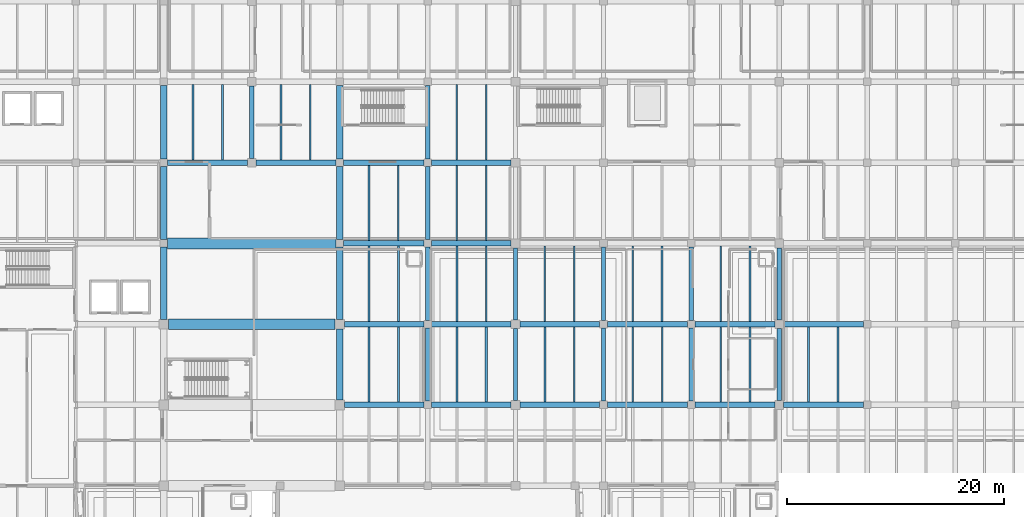
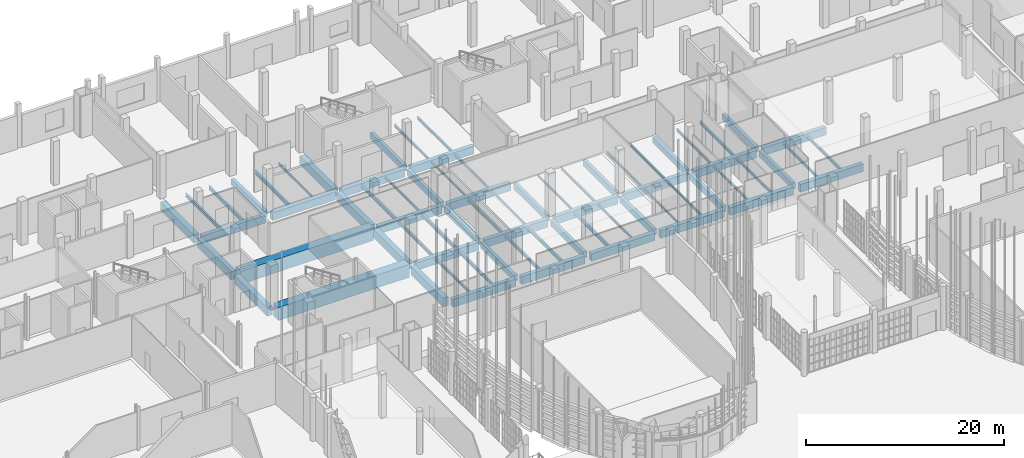
# One storey, part 249 of 372: 72 beams.
"""IFC4 building model written with IfcOpenShell, lengths in metres."""

from ifc_helpers import new_model, si_unit, direction, frame, origin, origin_2d, place, context, subcontext, project, spatial, rectangle, i_section, extrude, material, material_profile, profile_set, type_object, element, save


model = new_model("IFC4")

# Units and contexts
model_context = context("Model", 3, precision=1e-05, world=origin(), true_north=direction((0.0, 1.0)))
body_context = subcontext(model_context, "Body", "Model", "MODEL_VIEW")
ifc_project = project(units=[si_unit("LENGTHUNIT", "METRE"), si_unit("AREAUNIT", "SQUARE_METRE"), si_unit("VOLUMEUNIT", "CUBIC_METRE"), si_unit("PLANEANGLEUNIT", "RADIAN"), si_unit("MASSUNIT", "GRAM", prefix="KILO")], contexts=[model_context])

# Site, building, storey
site_placement = place(None, origin())
site = spatial("IfcSite", under=ifc_project, at=site_placement, CompositionType="ELEMENT")
building_placement = place(site_placement, origin())
building = spatial("IfcBuilding", under=site, at=building_placement, Name="Kaelora Sail Theatre", CompositionType="ELEMENT")
storey_placement = place(building_placement, origin())
storey = spatial("IfcBuildingStorey", under=building, at=storey_placement, Name="L00", CompositionType="ELEMENT", Elevation=0.0)

# Beams
ifc_material_1 = material(Name="Steel S355", Category="steel")
ifc_material_profile_1 = material_profile(ifc_material_1, i_section(OverallWidth=0.18994140625, OverallDepth=0.449951171875, WebThickness=0.009521484375, FlangeThickness=0.0146484375, FilletRadius=0.02099609375, at=origin_2d()), Name="IPE 450")
ifc_profile_set_1 = profile_set([ifc_material_profile_1], Name="Steel S355")
beam_type_1 = type_object("IfcBeamType", Name="STR-BM-BM-IPE450", PredefinedType="BEAM", material=ifc_profile_set_1)
for number, where, z_axis, x_axis, name in (
    (1, (71.699951171875, 91.030029296875, -0.544921875), (0.0, 1.0, 0.0), (-1.0, 0.0, 0.0), "Secondary floor joist 9/M-2 (L00)"),
    (2, (77.10009765625, 91.030029296875, -0.544921875), (0.0, 1.0, 0.0), (-1.0, 0.0, 0.0), "Secondary floor joist 10/M-1 (L00)"),
):
    element("IfcBeam", number, at=place(storey_placement, frame(where, z_axis=z_axis, x_axis=x_axis)), inside=storey, type_object=beam_type_1, Name=name, PredefinedType="BEAM", context=body_context, shape_type="SweptSolid", body=[
        extrude(i_section(OverallWidth=0.18994140625, OverallDepth=0.449951171875, WebThickness=0.009521484375, FlangeThickness=0.0146484375, FilletRadius=0.02099609375, at=origin_2d()), origin(), (0.0, 0.0, 1.0), 6.93994140625),
    ])
beam_1_placement = place(storey_placement, frame((87.89990234375, 76.14990234375, -0.544921875), z_axis=(0.0, 1.0, 0.0), x_axis=(-1.0, 0.0, 0.0)))
element("IfcBeam", 3, at=beam_1_placement, inside=storey, type_object=beam_type_1, Name="Secondary floor joist 11/K-2 (L00)", PredefinedType="BEAM", context=body_context, shape_type="SweptSolid", body=[
    extrude(i_section(OverallWidth=0.18994140625, OverallDepth=0.449951171875, WebThickness=0.009521484375, FlangeThickness=0.0146484375, FilletRadius=0.02099609375, at=origin_2d()), origin(), (0.0, 0.0, 1.0), 6.940185546875),
])
for number, where, z_axis, x_axis, name in (
    (4, (85.199951171875, 83.590087890625, -0.544921875), (0.0, 1.0, 0.0), (-1.0, 0.0, 0.0), "Secondary floor joist 11/L-1 (L00)"),
    (5, (96.0, 68.7099609375, -0.544921875), (0.0, 1.0, 0.0), (-1.0, 0.0, 0.0), "Secondary floor joist 12/J-2 (L00)"),
):
    element("IfcBeam", number, at=place(storey_placement, frame(where, z_axis=z_axis, x_axis=x_axis)), inside=storey, type_object=beam_type_1, Name=name, PredefinedType="BEAM", context=body_context, shape_type="SweptSolid", body=[
        extrude(i_section(OverallWidth=0.18994140625, OverallDepth=0.449951171875, WebThickness=0.009521484375, FlangeThickness=0.0146484375, FilletRadius=0.02099609375, at=origin_2d()), origin(), (0.0, 0.0, 1.0), 6.93994140625),
    ])
beam_2_placement = place(storey_placement, frame((93.300048828125, 76.14990234375, -0.544921875), z_axis=(0.0, 1.0, 0.0), x_axis=(-1.0, 0.0, 0.0)))
element("IfcBeam", 6, at=beam_2_placement, inside=storey, type_object=beam_type_1, Name="Secondary floor joist 12/K-1 (L00)", PredefinedType="BEAM", context=body_context, shape_type="SweptSolid", body=[
    extrude(i_section(OverallWidth=0.18994140625, OverallDepth=0.449951171875, WebThickness=0.009521484375, FlangeThickness=0.0146484375, FilletRadius=0.02099609375, at=origin_2d()), origin(), (0.0, 0.0, 1.0), 6.940185546875),
])
beam_3_placement = place(storey_placement, frame((101.39990234375, 68.7099609375, -0.544921875), z_axis=(0.0, 1.0, 0.0), x_axis=(-1.0, 0.0, 0.0)))
element("IfcBeam", 7, at=beam_3_placement, inside=storey, type_object=beam_type_1, Name="Secondary floor joist 13/J-1 (L00)", PredefinedType="BEAM", context=body_context, shape_type="SweptSolid", body=[
    extrude(i_section(OverallWidth=0.18994140625, OverallDepth=0.449951171875, WebThickness=0.009521484375, FlangeThickness=0.0146484375, FilletRadius=0.02099609375, at=origin_2d()), origin(), (0.0, 0.0, 1.0), 6.93994140625),
])
ifc_material_2 = material(Name="Concrete C40/50", Category="concrete")
ifc_material_profile_2 = material_profile(ifc_material_2, rectangle(XDim=0.39990234375, YDim=0.75, at=origin_2d()), Name="RC-BM 400x750")
ifc_profile_set_2 = profile_set([ifc_material_profile_2], Name="Concrete C40/50")
beam_type_2 = type_object("IfcBeamType", Name="STR-BM-BM-RC4075", PredefinedType="BEAM", material=ifc_profile_set_2)
beam_4_placement = place(storey_placement, frame((74.39990234375, 91.179931640625, -0.695068359375), z_axis=(0.0, 1.0, 0.0), x_axis=(-1.0, 0.0, 0.0)))
element("IfcBeam", 8, at=beam_4_placement, inside=storey, type_object=beam_type_2, Name="Primary beam 10 M-N (L00)", PredefinedType="BEAM", context=body_context, shape_type="SweptSolid", body=[
    extrude(rectangle(XDim=0.39990234375, YDim=0.75, at=origin_2d()), origin(), (0.0, 0.0, 1.0), 6.64013671875),
])
for number, where, z_axis, x_axis, name in (
    (9, (90.60009765625, 68.81005859375, -0.695068359375), (0.0, 1.0, 0.0), (-1.0, 0.0, 0.0), "Primary beam 12 J-K (L00)"),
    (10, (90.60009765625, 76.25, -0.695068359375), (0.0, 1.0, 0.0), (-1.0, 0.0, 0.0), "Primary beam 12 K-L (L00)"),
    (11, (90.60009765625, 83.68994140625, -0.695068359375), (0.0, 1.0, 0.0), (-1.0, 0.0, 0.0), "Primary beam 12 L-M (L00)"),
):
    element("IfcBeam", number, at=place(storey_placement, frame(where, z_axis=z_axis, x_axis=x_axis)), inside=storey, type_object=beam_type_2, Name=name, PredefinedType="BEAM", context=body_context, shape_type="SweptSolid", body=[
        extrude(rectangle(XDim=0.39990234375, YDim=0.75, at=origin_2d()), origin(), (0.0, 0.0, 1.0), 6.739990234375),
    ])
beam_5_placement = place(storey_placement, frame((90.60009765625, 91.1298828125, -0.695068359375), z_axis=(0.0, 1.0, 0.0), x_axis=(-1.0, 0.0, 0.0)))
element("IfcBeam", 12, at=beam_5_placement, inside=storey, type_object=beam_type_2, Name="Primary beam 12 M-N (L00)", PredefinedType="BEAM", context=body_context, shape_type="SweptSolid", body=[
    extrude(rectangle(XDim=0.39990234375, YDim=0.75, at=origin_2d()), origin(), (0.0, 0.0, 1.0), 6.740234375),
])
for number, where, z_axis, x_axis, name in (
    (13, (98.699951171875, 68.860107421875, -0.695068359375), (0.0, 1.0, 0.0), (-1.0, 0.0, 0.0), "Primary beam 13 J-K (L00)"),
    (14, (98.699951171875, 76.300048828125, -0.695068359375), (0.0, 1.0, 0.0), (-1.0, 0.0, 0.0), "Primary beam 13 K-L (L00)"),
):
    element("IfcBeam", number, at=place(storey_placement, frame(where, z_axis=z_axis, x_axis=x_axis)), inside=storey, type_object=beam_type_2, Name=name, PredefinedType="BEAM", context=body_context, shape_type="SweptSolid", body=[
        extrude(rectangle(XDim=0.39990234375, YDim=0.75, at=origin_2d()), origin(), (0.0, 0.0, 1.0), 6.639892578125),
    ])
for number, where, z_axis, x_axis, name in (
    (15, (106.800048828125, 68.81005859375, -0.695068359375), (0.0, 1.0, 0.0), (-1.0, 0.0, 0.0), "Primary beam 14 J-K (L00)"),
    (16, (106.800048828125, 76.25, -0.695068359375), (0.0, 1.0, 0.0), (-1.0, 0.0, 0.0), "Primary beam 14 K-L (L00)"),
    (17, (114.89990234375, 68.81005859375, -0.695068359375), (0.0, 1.0, 0.0), (-1.0, 0.0, 0.0), "Primary beam 15 J-K (L00)"),
    (18, (114.89990234375, 76.25, -0.695068359375), (0.0, 1.0, 0.0), (-1.0, 0.0, 0.0), "Primary beam 15 K-L (L00)"),
):
    element("IfcBeam", number, at=place(storey_placement, frame(where, z_axis=z_axis, x_axis=x_axis)), inside=storey, type_object=beam_type_2, Name=name, PredefinedType="BEAM", context=body_context, shape_type="SweptSolid", body=[
        extrude(rectangle(XDim=0.39990234375, YDim=0.75, at=origin_2d()), origin(), (0.0, 0.0, 1.0), 6.739990234375),
    ])
for number, where, z_axis, x_axis, name in (
    (19, (123.0, 68.860107421875, -0.695068359375), (0.0, 1.0, 0.0), (-1.0, 0.0, 0.0), "Primary beam 16 J-K (L00)"),
    (20, (123.0, 76.300048828125, -0.695068359375), (0.0, 1.0, 0.0), (-1.0, 0.0, 0.0), "Primary beam 16 K-L (L00)"),
):
    element("IfcBeam", number, at=place(storey_placement, frame(where, z_axis=z_axis, x_axis=x_axis)), inside=storey, type_object=beam_type_2, Name=name, PredefinedType="BEAM", context=body_context, shape_type="SweptSolid", body=[
        extrude(rectangle(XDim=0.39990234375, YDim=0.75, at=origin_2d()), origin(), (0.0, 0.0, 1.0), 6.639892578125),
    ])
ifc_material_3 = material(Name="Concrete C45/55", Category="concrete")
ifc_material_profile_3 = material_profile(ifc_material_3, rectangle(XDim=0.5, YDim=0.949951171875, at=origin_2d()), Name="RC-GRD 500x950")
ifc_profile_set_3 = profile_set([ifc_material_profile_3], Name="Concrete C45/55")
beam_type_3 = type_object("IfcBeamType", Name="STR-BM-GR-RC5095", PredefinedType="T_BEAM", material=ifc_profile_set_3)
beam_6_placement = place(storey_placement, frame((66.64990234375, 90.780029296875, -0.794921875), z_axis=(1.0, 0.0, 0.0), x_axis=(0.0, 1.0, 0.0)))
element("IfcBeam", 21, at=beam_6_placement, inside=storey, type_object=beam_type_3, Name="Primary beam M 9-10 (L00)", PredefinedType="T_BEAM", context=body_context, shape_type="SweptSolid", body=[
    extrude(rectangle(XDim=0.5, YDim=0.949951171875, at=origin_2d()), origin(), (0.0, 0.0, 1.0), 7.35009765625),
])
beam_7_placement = place(storey_placement, frame((74.800048828125, 90.780029296875, -0.794921875), z_axis=(1.0, 0.0, 0.0), x_axis=(0.0, 1.0, 0.0)))
element("IfcBeam", 22, at=beam_7_placement, inside=storey, type_object=beam_type_3, Name="Primary beam M 10-11 (L00)", PredefinedType="T_BEAM", context=body_context, shape_type="SweptSolid", body=[
    extrude(rectangle(XDim=0.5, YDim=0.949951171875, at=origin_2d()), origin(), (0.0, 0.0, 1.0), 7.349853515625),
])
for number, where, z_axis, x_axis, name in (
    (23, (82.949951171875, 68.4599609375, -0.794921875), (1.0, 0.0, 0.0), (0.0, 1.0, 0.0), "Primary beam J 11-12 (L00)"),
    (24, (82.949951171875, 75.89990234375, -0.794921875), (1.0, 0.0, 0.0), (0.0, 1.0, 0.0), "Primary beam K 11-12 (L00)"),
):
    element("IfcBeam", number, at=place(storey_placement, frame(where, z_axis=z_axis, x_axis=x_axis)), inside=storey, type_object=beam_type_3, Name=name, PredefinedType="T_BEAM", context=body_context, shape_type="SweptSolid", body=[
        extrude(rectangle(XDim=0.5, YDim=0.949951171875, at=origin_2d()), origin(), (0.0, 0.0, 1.0), 7.300048828125),
    ])
for number, where, z_axis, x_axis, name in (
    (25, (82.85009765625, 83.340087890625, -0.794921875), (1.0, 0.0, 0.0), (0.0, 1.0, 0.0), "Primary beam L 11-12 (L00)"),
    (26, (82.85009765625, 90.780029296875, -0.794921875), (1.0, 0.0, 0.0), (0.0, 1.0, 0.0), "Primary beam M 11-12 (L00)"),
):
    element("IfcBeam", number, at=place(storey_placement, frame(where, z_axis=z_axis, x_axis=x_axis)), inside=storey, type_object=beam_type_3, Name=name, PredefinedType="T_BEAM", context=body_context, shape_type="SweptSolid", body=[
        extrude(rectangle(XDim=0.5, YDim=0.949951171875, at=origin_2d()), origin(), (0.0, 0.0, 1.0), 7.39990234375),
    ])
for number, where, z_axis, x_axis, name in (
    (27, (90.949951171875, 68.4599609375, -0.794921875), (1.0, 0.0, 0.0), (0.0, 1.0, 0.0), "Primary beam J 12-13 (L00)"),
    (28, (90.949951171875, 75.89990234375, -0.794921875), (1.0, 0.0, 0.0), (0.0, 1.0, 0.0), "Primary beam K 12-13 (L00)"),
    (29, (90.949951171875, 83.340087890625, -0.794921875), (1.0, 0.0, 0.0), (0.0, 1.0, 0.0), "Primary beam L 12-13 (L00)"),
    (30, (90.949951171875, 90.780029296875, -0.794921875), (1.0, 0.0, 0.0), (0.0, 1.0, 0.0), "Primary beam M 12-13 (L00)"),
):
    element("IfcBeam", number, at=place(storey_placement, frame(where, z_axis=z_axis, x_axis=x_axis)), inside=storey, type_object=beam_type_3, Name=name, PredefinedType="T_BEAM", context=body_context, shape_type="SweptSolid", body=[
        extrude(rectangle(XDim=0.5, YDim=0.949951171875, at=origin_2d()), origin(), (0.0, 0.0, 1.0), 7.35009765625),
    ])
for number, where, z_axis, x_axis, name in (
    (31, (99.10009765625, 68.4599609375, -0.794921875), (1.0, 0.0, 0.0), (0.0, 1.0, 0.0), "Primary beam J 13-14 (L00)"),
    (32, (99.10009765625, 75.89990234375, -0.794921875), (1.0, 0.0, 0.0), (0.0, 1.0, 0.0), "Primary beam K 13-14 (L00)"),
):
    element("IfcBeam", number, at=place(storey_placement, frame(where, z_axis=z_axis, x_axis=x_axis)), inside=storey, type_object=beam_type_3, Name=name, PredefinedType="T_BEAM", context=body_context, shape_type="SweptSolid", body=[
        extrude(rectangle(XDim=0.5, YDim=0.949951171875, at=origin_2d()), origin(), (0.0, 0.0, 1.0), 7.349853515625),
    ])
for number, where, z_axis, x_axis, name in (
    (33, (107.14990234375, 68.4599609375, -0.794921875), (1.0, 0.0, 0.0), (0.0, 1.0, 0.0), "Primary beam J 14-15 (L00)"),
    (34, (107.14990234375, 75.89990234375, -0.794921875), (1.0, 0.0, 0.0), (0.0, 1.0, 0.0), "Primary beam K 14-15 (L00)"),
):
    element("IfcBeam", number, at=place(storey_placement, frame(where, z_axis=z_axis, x_axis=x_axis)), inside=storey, type_object=beam_type_3, Name=name, PredefinedType="T_BEAM", context=body_context, shape_type="SweptSolid", body=[
        extrude(rectangle(XDim=0.5, YDim=0.949951171875, at=origin_2d()), origin(), (0.0, 0.0, 1.0), 7.400146484375),
    ])
for number, where, z_axis, x_axis, name in (
    (35, (115.25, 68.4599609375, -0.794921875), (1.0, 0.0, 0.0), (0.0, 1.0, 0.0), "Primary beam J 15-16 (L00)"),
    (36, (115.25, 75.89990234375, -0.794921875), (1.0, 0.0, 0.0), (0.0, 1.0, 0.0), "Primary beam K 15-16 (L00)"),
    (37, (123.39990234375, 68.4599609375, -0.794921875), (1.0, 0.0, 0.0), (0.0, 1.0, 0.0), "Primary beam J 16-17 (L00)"),
    (38, (123.39990234375, 75.89990234375, -0.794921875), (1.0, 0.0, 0.0), (0.0, 1.0, 0.0), "Primary beam K 16-17 (L00)"),
):
    element("IfcBeam", number, at=place(storey_placement, frame(where, z_axis=z_axis, x_axis=x_axis)), inside=storey, type_object=beam_type_3, Name=name, PredefinedType="T_BEAM", context=body_context, shape_type="SweptSolid", body=[
        extrude(rectangle(XDim=0.5, YDim=0.949951171875, at=origin_2d()), origin(), (0.0, 0.0, 1.0), 7.35009765625),
    ])
ifc_material_4 = material(Name="Concrete C50/60", Category="concrete")
ifc_material_profile_4 = material_profile(ifc_material_4, rectangle(XDim=0.60009765625, YDim=1.050048828125, at=origin_2d()), Name="RC-GRD 600x1050")
ifc_profile_set_4 = profile_set([ifc_material_profile_4], Name="Concrete C50/60")
beam_type_4 = type_object("IfcBeamType", Name="STR-BM-GR-RC6105", PredefinedType="T_BEAM", material=ifc_profile_set_4)
beam_8_placement = place(storey_placement, frame((66.300048828125, 76.35009765625, -0.844970703125), z_axis=(0.0, 1.0, 0.0), x_axis=(-1.0, 0.0, 0.0)))
element("IfcBeam", 39, at=beam_8_placement, inside=storey, type_object=beam_type_4, Name="Primary beam 9 K-L (L00)", PredefinedType="T_BEAM", context=body_context, shape_type="SweptSolid", body=[
    extrude(rectangle(XDim=0.60009765625, YDim=1.050048828125, at=origin_2d()), origin(), (0.0, 0.0, 1.0), 6.639892578125),
])
beam_9_placement = place(storey_placement, frame((66.300048828125, 83.68994140625, -0.844970703125), z_axis=(0.0, 1.0, 0.0), x_axis=(-1.0, 0.0, 0.0)))
element("IfcBeam", 40, at=beam_9_placement, inside=storey, type_object=beam_type_4, Name="Primary beam 9 L-M (L00)", PredefinedType="T_BEAM", context=body_context, shape_type="SweptSolid", body=[
    extrude(rectangle(XDim=0.60009765625, YDim=1.050048828125, at=origin_2d()), origin(), (0.0, 0.0, 1.0), 6.739990234375),
])
beam_10_placement = place(storey_placement, frame((66.300048828125, 91.1298828125, -0.844970703125), z_axis=(0.0, 1.0, 0.0), x_axis=(-1.0, 0.0, 0.0)))
element("IfcBeam", 41, at=beam_10_placement, inside=storey, type_object=beam_type_4, Name="Primary beam 9 M-N (L00)", PredefinedType="T_BEAM", context=body_context, shape_type="SweptSolid", body=[
    extrude(rectangle(XDim=0.60009765625, YDim=1.050048828125, at=origin_2d()), origin(), (0.0, 0.0, 1.0), 6.740234375),
])
beam_11_placement = place(storey_placement, frame((82.5, 68.909912109375, -0.844970703125), z_axis=(0.0, 1.0, 0.0), x_axis=(-1.0, 0.0, 0.0)))
element("IfcBeam", 42, at=beam_11_placement, inside=storey, type_object=beam_type_4, Name="Primary beam 11 J-K (L00)", PredefinedType="T_BEAM", context=body_context, shape_type="SweptSolid", body=[
    extrude(rectangle(XDim=0.60009765625, YDim=1.050048828125, at=origin_2d()), origin(), (0.0, 0.0, 1.0), 6.5400390625),
])
beam_12_placement = place(storey_placement, frame((82.5, 76.35009765625, -0.844970703125), z_axis=(0.0, 1.0, 0.0), x_axis=(-1.0, 0.0, 0.0)))
element("IfcBeam", 43, at=beam_12_placement, inside=storey, type_object=beam_type_4, Name="Primary beam 11 K-L (L00)", PredefinedType="T_BEAM", context=body_context, shape_type="SweptSolid", body=[
    extrude(rectangle(XDim=0.60009765625, YDim=1.050048828125, at=origin_2d()), origin(), (0.0, 0.0, 1.0), 6.639892578125),
])
beam_13_placement = place(storey_placement, frame((82.5, 83.68994140625, -0.844970703125), z_axis=(0.0, 1.0, 0.0), x_axis=(-1.0, 0.0, 0.0)))
element("IfcBeam", 44, at=beam_13_placement, inside=storey, type_object=beam_type_4, Name="Primary beam 11 L-M (L00)", PredefinedType="T_BEAM", context=body_context, shape_type="SweptSolid", body=[
    extrude(rectangle(XDim=0.60009765625, YDim=1.050048828125, at=origin_2d()), origin(), (0.0, 0.0, 1.0), 6.739990234375),
])
beam_14_placement = place(storey_placement, frame((82.5, 91.1298828125, -0.844970703125), z_axis=(0.0, 1.0, 0.0), x_axis=(-1.0, 0.0, 0.0)))
element("IfcBeam", 45, at=beam_14_placement, inside=storey, type_object=beam_type_4, Name="Primary beam 11 M-N (L00)", PredefinedType="T_BEAM", context=body_context, shape_type="SweptSolid", body=[
    extrude(rectangle(XDim=0.60009765625, YDim=1.050048828125, at=origin_2d()), origin(), (0.0, 0.0, 1.0), 6.740234375),
])
ifc_material_5 = material(Name="Steel S355", Category="steel")
ifc_material_profile_5 = material_profile(ifc_material_5, i_section(OverallWidth=0.135009765625, OverallDepth=0.27001953125, WebThickness=0.006591796875, FlangeThickness=0.01025390625, FilletRadius=0.014892578125, at=origin_2d()), Name="IPE 270")
ifc_profile_set_5 = profile_set([ifc_material_profile_5], Name="Steel S355")
beam_type_5 = type_object("IfcBeamType", Name="STR-BM-JS-IPE270", PredefinedType="JOIST", material=ifc_profile_set_5)
for number, where, z_axis, x_axis, name in (
    (46, (79.800048828125, 91.030029296875, -0.455078125), (0.0, 1.0, 0.0), (-1.0, 0.0, 0.0), "Secondary floor joist 10/M-2 (L00)"),
    (47, (87.89990234375, 83.590087890625, -0.455078125), (0.0, 1.0, 0.0), (-1.0, 0.0, 0.0), "Secondary floor joist 11/L-2 (L00)"),
):
    element("IfcBeam", number, at=place(storey_placement, frame(where, z_axis=z_axis, x_axis=x_axis)), inside=storey, type_object=beam_type_5, Name=name, PredefinedType="JOIST", context=body_context, shape_type="SweptSolid", body=[
        extrude(i_section(OverallWidth=0.135009765625, OverallDepth=0.27001953125, WebThickness=0.006591796875, FlangeThickness=0.01025390625, FilletRadius=0.014892578125, at=origin_2d()), origin(), (0.0, 0.0, 1.0), 6.93994140625),
    ])
beam_15_placement = place(storey_placement, frame((96.0, 76.14990234375, -0.455078125), z_axis=(0.0, 1.0, 0.0), x_axis=(-1.0, 0.0, 0.0)))
element("IfcBeam", 48, at=beam_15_placement, inside=storey, type_object=beam_type_5, Name="Secondary floor joist 12/K-2 (L00)", PredefinedType="JOIST", context=body_context, shape_type="SweptSolid", body=[
    extrude(i_section(OverallWidth=0.135009765625, OverallDepth=0.27001953125, WebThickness=0.006591796875, FlangeThickness=0.01025390625, FilletRadius=0.014892578125, at=origin_2d()), origin(), (0.0, 0.0, 1.0), 6.940185546875),
])
for number, where, z_axis, x_axis, name in (
    (49, (93.300048828125, 83.590087890625, -0.455078125), (0.0, 1.0, 0.0), (-1.0, 0.0, 0.0), "Secondary floor joist 12/L-1 (L00)"),
    (50, (104.10009765625, 68.7099609375, -0.455078125), (0.0, 1.0, 0.0), (-1.0, 0.0, 0.0), "Secondary floor joist 13/J-2 (L00)"),
):
    element("IfcBeam", number, at=place(storey_placement, frame(where, z_axis=z_axis, x_axis=x_axis)), inside=storey, type_object=beam_type_5, Name=name, PredefinedType="JOIST", context=body_context, shape_type="SweptSolid", body=[
        extrude(i_section(OverallWidth=0.135009765625, OverallDepth=0.27001953125, WebThickness=0.006591796875, FlangeThickness=0.01025390625, FilletRadius=0.014892578125, at=origin_2d()), origin(), (0.0, 0.0, 1.0), 6.93994140625),
    ])
beam_16_placement = place(storey_placement, frame((101.39990234375, 76.14990234375, -0.455078125), z_axis=(0.0, 1.0, 0.0), x_axis=(-1.0, 0.0, 0.0)))
element("IfcBeam", 51, at=beam_16_placement, inside=storey, type_object=beam_type_5, Name="Secondary floor joist 13/K-1 (L00)", PredefinedType="JOIST", context=body_context, shape_type="SweptSolid", body=[
    extrude(i_section(OverallWidth=0.135009765625, OverallDepth=0.27001953125, WebThickness=0.006591796875, FlangeThickness=0.01025390625, FilletRadius=0.014892578125, at=origin_2d()), origin(), (0.0, 0.0, 1.0), 6.940185546875),
])
beam_17_placement = place(storey_placement, frame((109.5, 68.7099609375, -0.455078125), z_axis=(0.0, 1.0, 0.0), x_axis=(-1.0, 0.0, 0.0)))
element("IfcBeam", 52, at=beam_17_placement, inside=storey, type_object=beam_type_5, Name="Secondary floor joist 14/J-1 (L00)", PredefinedType="JOIST", context=body_context, shape_type="SweptSolid", body=[
    extrude(i_section(OverallWidth=0.135009765625, OverallDepth=0.27001953125, WebThickness=0.006591796875, FlangeThickness=0.01025390625, FilletRadius=0.014892578125, at=origin_2d()), origin(), (0.0, 0.0, 1.0), 6.93994140625),
])
ifc_material_6 = material(Name="Steel S355", Category="steel")
ifc_material_profile_6 = material_profile(ifc_material_6, i_section(OverallWidth=0.14990234375, OverallDepth=0.300048828125, WebThickness=0.007080078125, FlangeThickness=0.0107421875, FilletRadius=0.014892578125, at=origin_2d()), Name="IPE 300")
ifc_profile_set_6 = profile_set([ifc_material_profile_6], Name="Steel S355")
beam_type_6 = type_object("IfcBeamType", Name="STR-BM-JS-IPE300", PredefinedType="JOIST", material=ifc_profile_set_6)
for number, where, z_axis, x_axis, name in (
    (53, (96.0, 83.590087890625, -0.469970703125), (0.0, 1.0, 0.0), (-1.0, 0.0, 0.0), "Secondary floor joist 12/L-2 (L00)"),
    (54, (93.300048828125, 91.030029296875, -0.469970703125), (0.0, 1.0, 0.0), (-1.0, 0.0, 0.0), "Secondary floor joist 12/M-1 (L00)"),
):
    element("IfcBeam", number, at=place(storey_placement, frame(where, z_axis=z_axis, x_axis=x_axis)), inside=storey, type_object=beam_type_6, Name=name, PredefinedType="JOIST", context=body_context, shape_type="SweptSolid", body=[
        extrude(i_section(OverallWidth=0.14990234375, OverallDepth=0.300048828125, WebThickness=0.007080078125, FlangeThickness=0.0107421875, FilletRadius=0.014892578125, at=origin_2d()), origin(), (0.0, 0.0, 1.0), 6.93994140625),
    ])
beam_18_placement = place(storey_placement, frame((104.10009765625, 76.14990234375, -0.469970703125), z_axis=(0.0, 1.0, 0.0), x_axis=(-1.0, 0.0, 0.0)))
element("IfcBeam", 55, at=beam_18_placement, inside=storey, type_object=beam_type_6, Name="Secondary floor joist 13/K-2 (L00)", PredefinedType="JOIST", context=body_context, shape_type="SweptSolid", body=[
    extrude(i_section(OverallWidth=0.14990234375, OverallDepth=0.300048828125, WebThickness=0.007080078125, FlangeThickness=0.0107421875, FilletRadius=0.014892578125, at=origin_2d()), origin(), (0.0, 0.0, 1.0), 6.940185546875),
])
beam_19_placement = place(storey_placement, frame((112.199951171875, 68.7099609375, -0.469970703125), z_axis=(0.0, 1.0, 0.0), x_axis=(-1.0, 0.0, 0.0)))
element("IfcBeam", 56, at=beam_19_placement, inside=storey, type_object=beam_type_6, Name="Secondary floor joist 14/J-2 (L00)", PredefinedType="JOIST", context=body_context, shape_type="SweptSolid", body=[
    extrude(i_section(OverallWidth=0.14990234375, OverallDepth=0.300048828125, WebThickness=0.007080078125, FlangeThickness=0.0107421875, FilletRadius=0.014892578125, at=origin_2d()), origin(), (0.0, 0.0, 1.0), 6.93994140625),
])
beam_20_placement = place(storey_placement, frame((109.5, 76.14990234375, -0.469970703125), z_axis=(0.0, 1.0, 0.0), x_axis=(-1.0, 0.0, 0.0)))
element("IfcBeam", 57, at=beam_20_placement, inside=storey, type_object=beam_type_6, Name="Secondary floor joist 14/K-1 (L00)", PredefinedType="JOIST", context=body_context, shape_type="SweptSolid", body=[
    extrude(i_section(OverallWidth=0.14990234375, OverallDepth=0.300048828125, WebThickness=0.007080078125, FlangeThickness=0.0107421875, FilletRadius=0.014892578125, at=origin_2d()), origin(), (0.0, 0.0, 1.0), 6.940185546875),
])
beam_21_placement = place(storey_placement, frame((117.60009765625, 68.7099609375, -0.469970703125), z_axis=(0.0, 1.0, 0.0), x_axis=(-1.0, 0.0, 0.0)))
element("IfcBeam", 58, at=beam_21_placement, inside=storey, type_object=beam_type_6, Name="Secondary floor joist 15/J-1 (L00)", PredefinedType="JOIST", context=body_context, shape_type="SweptSolid", body=[
    extrude(i_section(OverallWidth=0.14990234375, OverallDepth=0.300048828125, WebThickness=0.007080078125, FlangeThickness=0.0107421875, FilletRadius=0.014892578125, at=origin_2d()), origin(), (0.0, 0.0, 1.0), 6.93994140625),
])
ifc_material_7 = material(Name="Steel S355", Category="steel")
ifc_material_profile_7 = material_profile(ifc_material_7, i_section(OverallWidth=0.159912109375, OverallDepth=0.330078125, WebThickness=0.007568359375, FlangeThickness=0.011474609375, FilletRadius=0.01806640625, at=origin_2d()), Name="IPE 330")
ifc_profile_set_7 = profile_set([ifc_material_profile_7], Name="Steel S355")
beam_type_7 = type_object("IfcBeamType", Name="STR-BM-JS-IPE330", PredefinedType="JOIST", material=ifc_profile_set_7)
beam_22_placement = place(storey_placement, frame((96.0, 91.030029296875, -0.485107421875), z_axis=(0.0, 1.0, 0.0), x_axis=(-1.0, 0.0, 0.0)))
element("IfcBeam", 59, at=beam_22_placement, inside=storey, type_object=beam_type_7, Name="Secondary floor joist 12/M-2 (L00)", PredefinedType="JOIST", context=body_context, shape_type="SweptSolid", body=[
    extrude(i_section(OverallWidth=0.159912109375, OverallDepth=0.330078125, WebThickness=0.007568359375, FlangeThickness=0.011474609375, FilletRadius=0.01806640625, at=origin_2d()), origin(), (0.0, 0.0, 1.0), 6.93994140625),
])
beam_23_placement = place(storey_placement, frame((112.199951171875, 76.14990234375, -0.485107421875), z_axis=(0.0, 1.0, 0.0), x_axis=(-1.0, 0.0, 0.0)))
element("IfcBeam", 60, at=beam_23_placement, inside=storey, type_object=beam_type_7, Name="Secondary floor joist 14/K-2 (L00)", PredefinedType="JOIST", context=body_context, shape_type="SweptSolid", body=[
    extrude(i_section(OverallWidth=0.159912109375, OverallDepth=0.330078125, WebThickness=0.007568359375, FlangeThickness=0.011474609375, FilletRadius=0.01806640625, at=origin_2d()), origin(), (0.0, 0.0, 1.0), 6.940185546875),
])
beam_24_placement = place(storey_placement, frame((120.300048828125, 68.7099609375, -0.485107421875), z_axis=(0.0, 1.0, 0.0), x_axis=(-1.0, 0.0, 0.0)))
element("IfcBeam", 61, at=beam_24_placement, inside=storey, type_object=beam_type_7, Name="Secondary floor joist 15/J-2 (L00)", PredefinedType="JOIST", context=body_context, shape_type="SweptSolid", body=[
    extrude(i_section(OverallWidth=0.159912109375, OverallDepth=0.330078125, WebThickness=0.007568359375, FlangeThickness=0.011474609375, FilletRadius=0.01806640625, at=origin_2d()), origin(), (0.0, 0.0, 1.0), 6.93994140625),
])
beam_25_placement = place(storey_placement, frame((117.60009765625, 76.14990234375, -0.485107421875), z_axis=(0.0, 1.0, 0.0), x_axis=(-1.0, 0.0, 0.0)))
element("IfcBeam", 62, at=beam_25_placement, inside=storey, type_object=beam_type_7, Name="Secondary floor joist 15/K-1 (L00)", PredefinedType="JOIST", context=body_context, shape_type="SweptSolid", body=[
    extrude(i_section(OverallWidth=0.159912109375, OverallDepth=0.330078125, WebThickness=0.007568359375, FlangeThickness=0.011474609375, FilletRadius=0.01806640625, at=origin_2d()), origin(), (0.0, 0.0, 1.0), 6.940185546875),
])
beam_26_placement = place(storey_placement, frame((125.699951171875, 68.7099609375, -0.485107421875), z_axis=(0.0, 1.0, 0.0), x_axis=(-1.0, 0.0, 0.0)))
element("IfcBeam", 63, at=beam_26_placement, inside=storey, type_object=beam_type_7, Name="Secondary floor joist 16/J-1 (L00)", PredefinedType="JOIST", context=body_context, shape_type="SweptSolid", body=[
    extrude(i_section(OverallWidth=0.159912109375, OverallDepth=0.330078125, WebThickness=0.007568359375, FlangeThickness=0.011474609375, FilletRadius=0.01806640625, at=origin_2d()), origin(), (0.0, 0.0, 1.0), 6.93994140625),
])
ifc_material_8 = material(Name="Steel S355", Category="steel")
ifc_material_profile_8 = material_profile(ifc_material_8, i_section(OverallWidth=0.169921875, OverallDepth=0.360107421875, WebThickness=0.008056640625, FlangeThickness=0.0126953125, FilletRadius=0.01806640625, at=origin_2d()), Name="IPE 360")
ifc_profile_set_8 = profile_set([ifc_material_profile_8], Name="Steel S355")
beam_type_8 = type_object("IfcBeamType", Name="STR-BM-JS-IPE360", PredefinedType="JOIST", material=ifc_profile_set_8)
beam_27_placement = place(storey_placement, frame((85.199951171875, 68.7099609375, -0.5), z_axis=(0.0, 1.0, 0.0), x_axis=(-1.0, 0.0, 0.0)))
element("IfcBeam", 64, at=beam_27_placement, inside=storey, type_object=beam_type_8, Name="Secondary floor joist 11/J-1 (L00)", PredefinedType="JOIST", context=body_context, shape_type="SweptSolid", body=[
    extrude(i_section(OverallWidth=0.169921875, OverallDepth=0.360107421875, WebThickness=0.008056640625, FlangeThickness=0.0126953125, FilletRadius=0.01806640625, at=origin_2d()), origin(), (0.0, 0.0, 1.0), 6.93994140625),
])
beam_28_placement = place(storey_placement, frame((120.300048828125, 76.14990234375, -0.5), z_axis=(0.0, 1.0, 0.0), x_axis=(-1.0, 0.0, 0.0)))
element("IfcBeam", 65, at=beam_28_placement, inside=storey, type_object=beam_type_8, Name="Secondary floor joist 15/K-2 (L00)", PredefinedType="JOIST", context=body_context, shape_type="SweptSolid", body=[
    extrude(i_section(OverallWidth=0.169921875, OverallDepth=0.360107421875, WebThickness=0.008056640625, FlangeThickness=0.0126953125, FilletRadius=0.01806640625, at=origin_2d()), origin(), (0.0, 0.0, 1.0), 6.940185546875),
])
beam_29_placement = place(storey_placement, frame((128.39990234375, 68.7099609375, -0.5), z_axis=(0.0, 1.0, 0.0), x_axis=(-1.0, 0.0, 0.0)))
element("IfcBeam", 66, at=beam_29_placement, inside=storey, type_object=beam_type_8, Name="Secondary floor joist 16/J-2 (L00)", PredefinedType="JOIST", context=body_context, shape_type="SweptSolid", body=[
    extrude(i_section(OverallWidth=0.169921875, OverallDepth=0.360107421875, WebThickness=0.008056640625, FlangeThickness=0.0126953125, FilletRadius=0.01806640625, at=origin_2d()), origin(), (0.0, 0.0, 1.0), 6.93994140625),
])
ifc_material_9 = material(Name="Steel S355", Category="steel")
ifc_material_profile_9 = material_profile(ifc_material_9, i_section(OverallWidth=0.179931640625, OverallDepth=0.39990234375, WebThickness=0.008544921875, FlangeThickness=0.013427734375, FilletRadius=0.02099609375, at=origin_2d()), Name="IPE 400")
ifc_profile_set_9 = profile_set([ifc_material_profile_9], Name="Steel S355")
beam_type_9 = type_object("IfcBeamType", Name="STR-BM-JS-IPE400", PredefinedType="JOIST", material=ifc_profile_set_9)
for number, where, z_axis, x_axis, name in (
    (67, (69.0, 91.030029296875, -0.52001953125), (0.0, 1.0, 0.0), (-1.0, 0.0, 0.0), "Secondary floor joist 9/M-1 (L00)"),
    (68, (87.89990234375, 68.7099609375, -0.52001953125), (0.0, 1.0, 0.0), (-1.0, 0.0, 0.0), "Secondary floor joist 11/J-2 (L00)"),
):
    element("IfcBeam", number, at=place(storey_placement, frame(where, z_axis=z_axis, x_axis=x_axis)), inside=storey, type_object=beam_type_9, Name=name, PredefinedType="JOIST", context=body_context, shape_type="SweptSolid", body=[
        extrude(i_section(OverallWidth=0.179931640625, OverallDepth=0.39990234375, WebThickness=0.008544921875, FlangeThickness=0.013427734375, FilletRadius=0.02099609375, at=origin_2d()), origin(), (0.0, 0.0, 1.0), 6.93994140625),
    ])
beam_30_placement = place(storey_placement, frame((85.199951171875, 76.14990234375, -0.52001953125), z_axis=(0.0, 1.0, 0.0), x_axis=(-1.0, 0.0, 0.0)))
element("IfcBeam", 69, at=beam_30_placement, inside=storey, type_object=beam_type_9, Name="Secondary floor joist 11/K-1 (L00)", PredefinedType="JOIST", context=body_context, shape_type="SweptSolid", body=[
    extrude(i_section(OverallWidth=0.179931640625, OverallDepth=0.39990234375, WebThickness=0.008544921875, FlangeThickness=0.013427734375, FilletRadius=0.02099609375, at=origin_2d()), origin(), (0.0, 0.0, 1.0), 6.940185546875),
])
beam_31_placement = place(storey_placement, frame((93.300048828125, 68.7099609375, -0.52001953125), z_axis=(0.0, 1.0, 0.0), x_axis=(-1.0, 0.0, 0.0)))
element("IfcBeam", 70, at=beam_31_placement, inside=storey, type_object=beam_type_9, Name="Secondary floor joist 12/J-1 (L00)", PredefinedType="JOIST", context=body_context, shape_type="SweptSolid", body=[
    extrude(i_section(OverallWidth=0.179931640625, OverallDepth=0.39990234375, WebThickness=0.008544921875, FlangeThickness=0.013427734375, FilletRadius=0.02099609375, at=origin_2d()), origin(), (0.0, 0.0, 1.0), 6.93994140625),
])
ifc_material_10 = material(Name="Concrete C50/60", Category="concrete")
ifc_material_profile_10 = material_profile(ifc_material_10, rectangle(XDim=1.0, YDim=1.60009765625, at=origin_2d()), Name="RC-TG 1000x1600")
ifc_profile_set_10 = profile_set([ifc_material_profile_10], Name="Concrete C50/60")
beam_type_10 = type_object("IfcBeamType", Name="STR-BM-MG-1016", PredefinedType="T_BEAM", material=ifc_profile_set_10)
beam_32_placement = place(storey_placement, frame((66.75, 75.89990234375, -0.800048828125), z_axis=(1.0, 0.0, 0.0), x_axis=(0.0, 1.0, 0.0)))
element("IfcBeam", 71, at=beam_32_placement, inside=storey, type_object=beam_type_10, Name="Metro concourse transfer girder MG-K", PredefinedType="T_BEAM", context=body_context, shape_type="SweptSolid", body=[
    extrude(rectangle(XDim=1.0, YDim=1.60009765625, at=origin_2d()), origin(), (0.0, 0.0, 1.0), 15.300048828125),
])
beam_33_placement = place(storey_placement, frame((66.64990234375, 83.340087890625, -0.800048828125), z_axis=(1.0, 0.0, 0.0), x_axis=(0.0, 1.0, 0.0)))
element("IfcBeam", 72, at=beam_33_placement, inside=storey, type_object=beam_type_10, Name="Metro concourse transfer girder MG-L", PredefinedType="T_BEAM", context=body_context, shape_type="SweptSolid", body=[
    extrude(rectangle(XDim=1.0, YDim=1.60009765625, at=origin_2d()), origin(), (0.0, 0.0, 1.0), 15.5),
])

save(model, "model.ifc")
